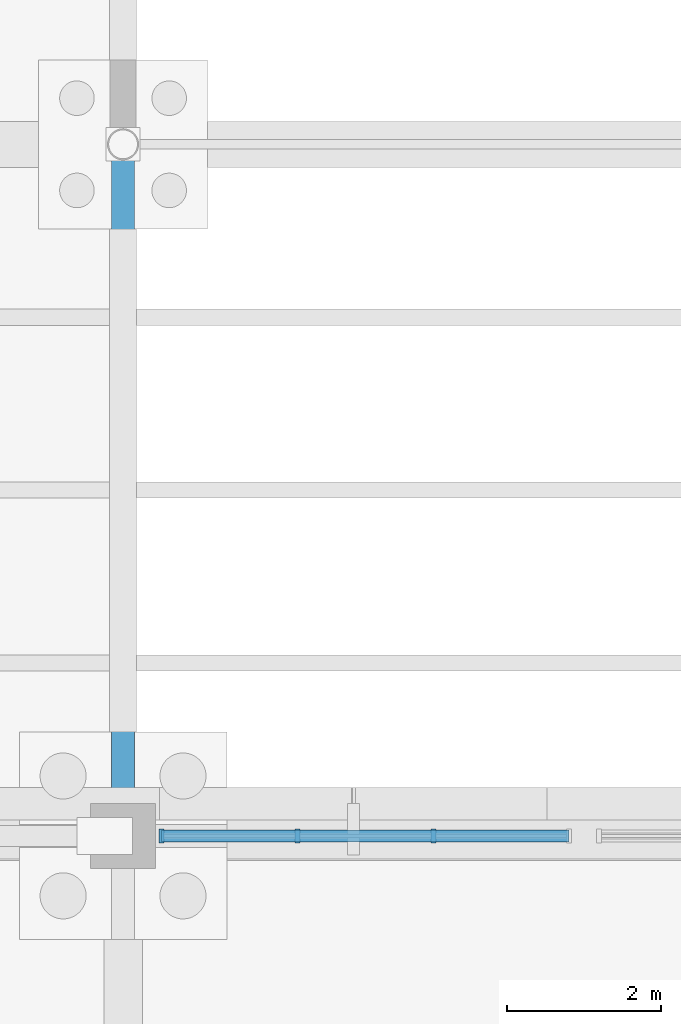
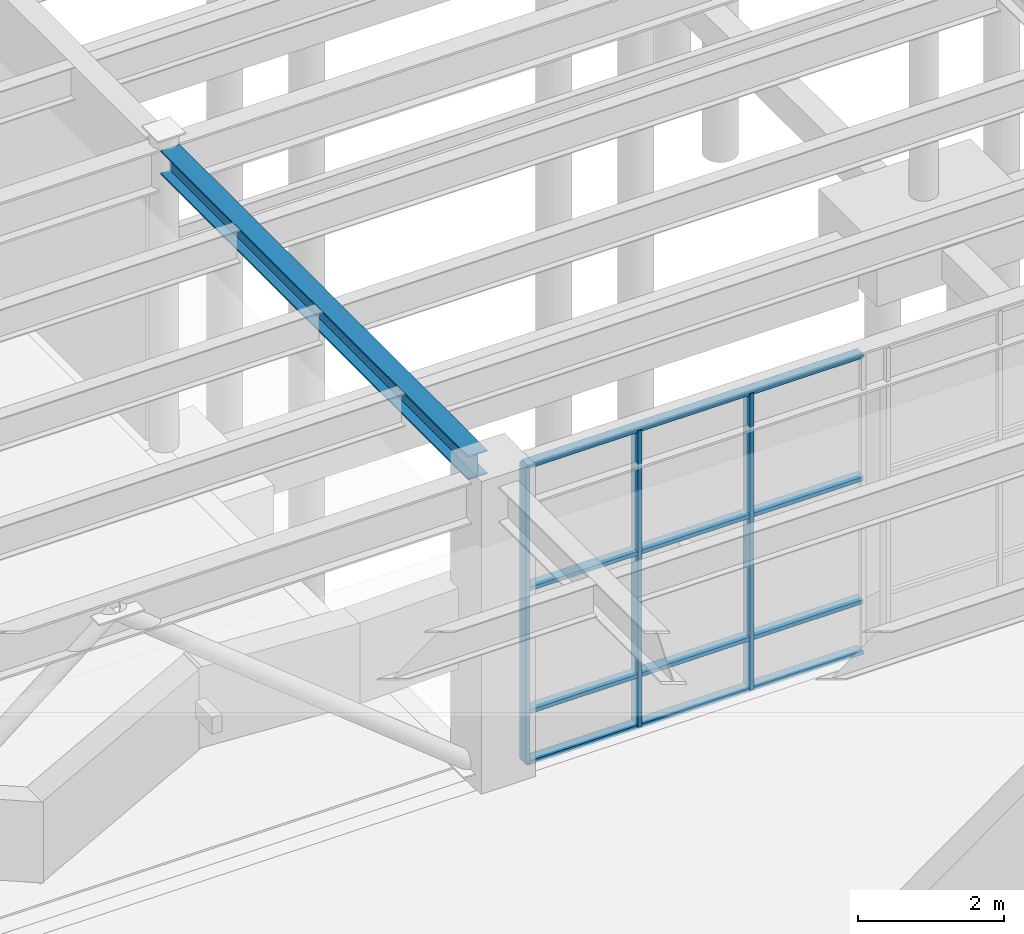
# One storey, part 34 of 85: 7 members, 1 beam, 1 element without a shape of its own.
"""IFC4 building model written with IfcOpenShell, lengths in metres."""

import ifcopenshell
import ifcopenshell.guid

model = None  # the IFC model being written
_history = None  # IfcOwnerHistory: only IFC2X3 demands one
_inside = {}  # id of a spatial element -> (the spatial element, [elements in it])
_under = {}  # id of a project, library or spatial element -> (it, [spatial elements below it])
_declared = {}  # id of a project -> (the project, [libraries it declares])
_typed = {}  # id of a type object -> (the type object, [elements of that type])
_made_of = {}  # id of a material, layer set ... -> (it, [elements and type objects made of it])


def new_model(schema):
    """Start an empty IFC model of exactly this schema.

    Asked for "IFC4X3", IfcOpenShell would pick the latest addendum, in which some entities
    have other attributes; the version numbers below select the first issue.
    IFC2X3 requires an IfcOwnerHistory on every rooted entity: one is made here for all.
    """
    global model, _history
    if schema == "IFC4X3":
        model = ifcopenshell.file(schema_version=(4, 3, 0, 0))
    else:
        model = ifcopenshell.file(schema=schema)
    _inside.clear()
    _under.clear()
    _declared.clear()
    _typed.clear()
    _made_of.clear()
    _history = None
    if model.schema == "IFC2X3":
        org = make("IfcOrganization", Name="unknown")
        user = make(
            "IfcPersonAndOrganization",
            ThePerson=make("IfcPerson", FamilyName="unknown"),
            TheOrganization=org,
        )
        app = make(
            "IfcApplication",
            ApplicationDeveloper=org,
            Version="unknown",
            ApplicationFullName="unknown",
            ApplicationIdentifier="unknown",
        )
        _history = make(
            "IfcOwnerHistory",
            OwningUser=user,
            OwningApplication=app,
            ChangeAction="ADDED",
            CreationDate=0,
        )
    return model


def make(cls, **values):
    """One entity of the class cls with the attributes given. An attribute that is None is left unset."""
    return model.create_entity(
        cls, **{name: value for name, value in values.items() if value is not None}
    )


def rooted(cls, **values):
    """An entity with a GlobalId (a new one), such as an element, a storey or a relation."""
    return make(cls, GlobalId=ifcopenshell.guid.new(), OwnerHistory=_history, **values)


def si_unit(unit_type, name, prefix=None):
    """IfcSIUnit, for example si_unit("LENGTHUNIT", "METRE", prefix="MILLI")."""
    return make("IfcSIUnit", UnitType=unit_type, Prefix=prefix, Name=name)


def assignment(units):
    """IfcUnitAssignment: the units of a project."""
    return None if units is None else make("IfcUnitAssignment", Units=units)


def point(xyz):
    """IfcCartesianPoint."""
    return None if xyz is None else make("IfcCartesianPoint", Coordinates=xyz)


def direction(xyz):
    """IfcDirection."""
    return None if xyz is None else make("IfcDirection", DirectionRatios=xyz)


def frame(location, z_axis=None, x_axis=None):
    """IfcAxis2Placement3D, a coordinate frame: its origin and axes. An axis left out is left unset."""
    return make(
        "IfcAxis2Placement3D",
        Location=point(location),
        Axis=direction(z_axis),
        RefDirection=direction(x_axis),
    )


def frame_2d(location, x_axis=None):
    """IfcAxis2Placement2D, a coordinate frame in the plane: its origin and x axis."""
    return make(
        "IfcAxis2Placement2D", Location=point(location), RefDirection=direction(x_axis)
    )


def origin():
    """The frame at (0, 0, 0) with its axes left unset."""
    return frame((0.0, 0.0, 0.0))


def origin_2d():
    """The frame at (0, 0) in the plane with its x axis left unset."""
    return frame_2d((0.0, 0.0))


def place(relative_to, where):
    """IfcLocalPlacement: puts the frame where relative to a parent placement (None: the world)."""
    return make(
        "IfcLocalPlacement", PlacementRelTo=relative_to, RelativePlacement=where
    )


def context(
    kind, dimensions, precision=None, world=None, true_north=None, identifier=None
):
    """IfcGeometricRepresentationContext, for example the 3D "Model" context."""
    return make(
        "IfcGeometricRepresentationContext",
        ContextIdentifier=identifier,
        ContextType=kind,
        CoordinateSpaceDimension=dimensions,
        Precision=precision,
        WorldCoordinateSystem=world,
        TrueNorth=true_north,
    )


def subcontext(parent, identifier, kind, view, scale=None):
    """IfcGeometricRepresentationSubContext, for example "Body" below "Model"."""
    return make(
        "IfcGeometricRepresentationSubContext",
        ContextIdentifier=identifier,
        ContextType=kind,
        ParentContext=parent,
        TargetScale=scale,
        TargetView=view,
    )


def project(units=None, contexts=None):
    """IfcProject with its units and contexts."""
    return rooted(
        "IfcProject",
        Name="project",
        RepresentationContexts=contexts,
        UnitsInContext=assignment(units),
    )


def spatial(cls, under=None, at=None, **own):
    """A site, building, storey or space (cls), placed at a placement, below another one or the project."""
    s = rooted(cls, ObjectPlacement=at, **own)
    if under is not None:
        _under.setdefault(under.id(), (under, []))[1].append(s)
    return s


def profile(cls, at=None, kind="AREA", **sizes):
    """A parametric profile (cls). Its sizes go by their IFC names, for example OverallWidth=200.0."""
    return make(cls, ProfileType=kind, Position=at, **sizes)


def rectangle(**sizes):
    """IfcRectangleProfileDef."""
    return profile("IfcRectangleProfileDef", **sizes)


def i_section(**sizes):
    """IfcIShapeProfileDef."""
    return profile("IfcIShapeProfileDef", **sizes)


def extrude(swept, where, along, depth):
    """IfcExtrudedAreaSolid: the profile swept, set in the frame where, extruded along a direction by depth."""
    return make(
        "IfcExtrudedAreaSolid",
        SweptArea=swept,
        Position=where,
        ExtrudedDirection=direction(along),
        Depth=depth,
    )


def shape(context_of_items, identifier, shape_type, items):
    """IfcShapeRepresentation: the items that make up one representation, for example the "Body"."""
    return make(
        "IfcShapeRepresentation",
        ContextOfItems=context_of_items,
        RepresentationIdentifier=identifier,
        RepresentationType=shape_type,
        Items=items,
    )


def material(Name=None, Category=None):
    """IfcMaterial."""
    return make("IfcMaterial", Name=Name, Category=Category)


def layer(
    of_material, thickness, ventilated=None, Name=None, Category=None, Priority=None
):
    """IfcMaterialLayer: one layer of a wall or slab, of a material (None: an air gap)."""
    return make(
        "IfcMaterialLayer",
        Material=of_material,
        LayerThickness=thickness,
        IsVentilated=ventilated,
        Name=Name,
        Category=Category,
        Priority=Priority,
    )


def layer_set(layers, Name=None):
    """IfcMaterialLayerSet."""
    return make("IfcMaterialLayerSet", MaterialLayers=layers, LayerSetName=Name)


def material_profile(
    of_material, cross_section, Name=None, Category=None, Priority=None
):
    """IfcMaterialProfile: a cross section and its material."""
    return make(
        "IfcMaterialProfile",
        Name=Name,
        Material=of_material,
        Profile=cross_section,
        Priority=Priority,
        Category=Category,
    )


def profile_set(profiles, Name=None, composite=None):
    """IfcMaterialProfileSet."""
    return make(
        "IfcMaterialProfileSet",
        Name=Name,
        MaterialProfiles=profiles,
        CompositeProfile=composite,
    )


def made_of(thing, what):
    """Note that an element or type object is made of a material, layer set ...; save() writes the relation."""
    if what is not None:
        _made_of.setdefault(what.id(), (what, []))[1].append(thing)
    return thing


def type_object(cls, material=None, **own):
    """A type object (cls), such as IfcWallType, which elements share."""
    return made_of(rooted(cls, **own), material)


def element(
    cls,
    number,
    at=None,
    inside=None,
    cuts=None,
    type_object=None,
    material=None,
    context=None,
    identifier="Body",
    shape_type=None,
    held_by="IfcProductDefinitionShape",
    body=None,
    shapes=None,
    **own,
):
    """One element of the class cls, such as IfcWall. Its Tag is "e" and its number.

    at: its placement. inside: the storey or other place that contains it. cuts: it is an
    opening in that element (IfcRelVoidsElement). A single representation is given by context,
    identifier, shape_type and body (its items); several are given by shapes. held_by: the class
    of the entity that holds the representations. save() writes the other relations.
    """
    e = rooted(cls, Tag="e%d" % number, ObjectPlacement=at, **own)
    if body is not None:
        shapes = [shape(context, identifier, shape_type, body)]
    if shapes is not None:
        e.Representation = make(held_by, Representations=shapes)
    if inside is not None:
        _inside.setdefault(inside.id(), (inside, []))[1].append(e)
    if cuts is not None:
        rooted(
            "IfcRelVoidsElement", RelatingBuildingElement=cuts, RelatedOpeningElement=e
        )
    if type_object is not None:
        _typed.setdefault(type_object.id(), (type_object, []))[1].append(e)
    return made_of(e, material)


def aggregate(whole, parts):
    """IfcRelAggregates: a whole, such as a stair, and the parts it consists of."""
    return rooted("IfcRelAggregates", RelatingObject=whole, RelatedObjects=parts)


def save(model, path):
    """Write the relations noted so far, then the file.

    IfcRelAggregates (storeys below a building ...), IfcRelContainedInSpatialStructure (elements
    in a storey), IfcRelDefinesByType, IfcRelAssociatesMaterial and IfcRelDeclares: one each for
    every whole, place, type object, material and project.
    """
    for whole, parts in _under.values():
        aggregate(whole, parts)
    for where, things in _inside.values():
        rooted(
            "IfcRelContainedInSpatialStructure",
            RelatedElements=things,
            RelatingStructure=where,
        )
    for kind, things in _typed.values():
        rooted("IfcRelDefinesByType", RelatedObjects=things, RelatingType=kind)
    for what, things in _made_of.values():
        rooted("IfcRelAssociatesMaterial", RelatedObjects=things, RelatingMaterial=what)
    for by, libraries in _declared.values():
        rooted("IfcRelDeclares", RelatingContext=by, RelatedDefinitions=libraries)
    model.write(path)


model = new_model("IFC4")

# Units and contexts
model_context = context("Model", 3, precision=1e-05, world=origin(), true_north=direction((0.0, 1.0)))
body_context = subcontext(model_context, "Body", "Model", "MODEL_VIEW")
ifc_project = project(units=[si_unit("LENGTHUNIT", "METRE"), si_unit("AREAUNIT", "SQUARE_METRE"), si_unit("VOLUMEUNIT", "CUBIC_METRE"), si_unit("PLANEANGLEUNIT", "RADIAN"), si_unit("MASSUNIT", "GRAM", prefix="KILO")], contexts=[model_context])

# Site, building, storey
site_placement = place(None, origin())
site = spatial("IfcSite", under=ifc_project, at=site_placement, CompositionType="ELEMENT")
building_placement = place(site_placement, origin())
building = spatial("IfcBuilding", under=site, at=building_placement, Name="Keelwater Ferry Terminal", CompositionType="ELEMENT")
storey_placement = place(building_placement, origin())
storey = spatial("IfcBuildingStorey", under=building, at=storey_placement, Name="L00", CompositionType="ELEMENT", Elevation=0.0)

# Curtain wall, members
ifc_material_1 = material(Name="Thermally broken unitised aluminium and triple glass", Category="aluminium")
ifc_layer = layer(ifc_material_1, 0.179931640625)
ifc_layer_set = layer_set([ifc_layer], Name="Thermally broken unitised aluminium and triple glass")
curtain_wall_type = type_object("IfcCurtainWallType", Name="CW-05 Unitised Curtain Wall 5305x4950", PredefinedType="USERDEFINED", material=ifc_layer_set)
curtain_wall_placement = place(storey_placement, origin())
curtain_wall = element("IfcCurtainWall", 1, at=curtain_wall_placement, inside=storey, type_object=curtain_wall_type, Name="Unitised Curtain Wall CW-L00-025", ObjectType="UNITISED CURTAIN WALL", PredefinedType="USERDEFINED")
ifc_material_2 = material(Name="Aluminium mullion", Category="aluminium")
ifc_material_profile_1 = material_profile(ifc_material_2, rectangle(XDim=0.06494140625, YDim=0.179931640625, at=origin_2d()), Name="CWM-01")
ifc_profile_set_1 = profile_set([ifc_material_profile_1], Name="Aluminium mullion")
member_type_1 = type_object("IfcMemberType", Name="CWM-01 Curtain Mullion 65x180", PredefinedType="MULLION", material=ifc_profile_set_1)
member_1_placement = place(storey_placement, frame((60.5, 90.0, 0.0), z_axis=(0.0, 0.0, 1.0), x_axis=(1.0, 0.0, 0.0)))
member_1 = element("IfcMember", 2, at=member_1_placement, type_object=member_type_1, Name="CW-L00-025 Mullion 1", PredefinedType="MULLION", context=body_context, shape_type="SweptSolid", body=[
    extrude(rectangle(XDim=0.06494140625, YDim=0.179931640625, at=origin_2d()), origin(), (0.0, 0.0, 1.0), 4.949951171875),
])
member_2_placement = place(storey_placement, frame((62.268310546875, 90.0, 0.0), z_axis=(0.0, 0.0, 1.0), x_axis=(1.0, 0.0, 0.0)))
member_2 = element("IfcMember", 3, at=member_2_placement, type_object=member_type_1, Name="CW-L00-025 Mullion 2", PredefinedType="MULLION", context=body_context, shape_type="SweptSolid", body=[
    extrude(rectangle(XDim=0.06494140625, YDim=0.179931640625, at=origin_2d()), origin(), (0.0, 0.0, 1.0), 4.949951171875),
])
member_3_placement = place(storey_placement, frame((64.03662109375, 90.0, 0.0), z_axis=(0.0, 0.0, 1.0), x_axis=(1.0, 0.0, 0.0)))
member_3 = element("IfcMember", 4, at=member_3_placement, type_object=member_type_1, Name="CW-L00-025 Mullion 3", PredefinedType="MULLION", context=body_context, shape_type="SweptSolid", body=[
    extrude(rectangle(XDim=0.06494140625, YDim=0.179931640625, at=origin_2d()), origin(), (0.0, 0.0, 1.0), 4.949951171875),
])
ifc_material_3 = material(Name="Aluminium mullion", Category="aluminium")
ifc_material_profile_2 = material_profile(ifc_material_3, rectangle(XDim=0.159912109375, YDim=0.06494140625, at=origin_2d()), Name="CWT-01")
ifc_profile_set_2 = profile_set([ifc_material_profile_2], Name="Aluminium mullion")
member_type_2 = type_object("IfcMemberType", Name="CWT-01 Curtain Transom 65x160", PredefinedType="USERDEFINED", material=ifc_profile_set_2)
member_4_placement = place(storey_placement, frame((60.5, 90.0, 0.0), z_axis=(1.0, 0.0, 0.0), x_axis=(0.0, 1.0, 0.0)))
member_4 = element("IfcMember", 5, at=member_4_placement, type_object=member_type_2, Name="CW-L00-025 Transom 1", ObjectType="TRANSOM", PredefinedType="USERDEFINED", context=body_context, shape_type="SweptSolid", body=[
    extrude(rectangle(XDim=0.159912109375, YDim=0.06494140625, at=origin_2d()), origin(), (0.0, 0.0, 1.0), 5.304931640625),
])
member_5_placement = place(storey_placement, frame((60.5, 90.0, 0.85009765625), z_axis=(1.0, 0.0, 0.0), x_axis=(0.0, 1.0, 0.0)))
member_5 = element("IfcMember", 6, at=member_5_placement, type_object=member_type_2, Name="CW-L00-025 Transom 2", ObjectType="TRANSOM", PredefinedType="USERDEFINED", context=body_context, shape_type="SweptSolid", body=[
    extrude(rectangle(XDim=0.159912109375, YDim=0.06494140625, at=origin_2d()), origin(), (0.0, 0.0, 1.0), 5.304931640625),
])
member_6_placement = place(storey_placement, frame((60.5, 90.0, 2.89990234375), z_axis=(1.0, 0.0, 0.0), x_axis=(0.0, 1.0, 0.0)))
member_6 = element("IfcMember", 7, at=member_6_placement, type_object=member_type_2, Name="CW-L00-025 Transom 3", ObjectType="TRANSOM", PredefinedType="USERDEFINED", context=body_context, shape_type="SweptSolid", body=[
    extrude(rectangle(XDim=0.159912109375, YDim=0.06494140625, at=origin_2d()), origin(), (0.0, 0.0, 1.0), 5.304931640625),
])
member_7_placement = place(storey_placement, frame((60.5, 90.0, 4.949951171875), z_axis=(1.0, 0.0, 0.0), x_axis=(0.0, 1.0, 0.0)))
member_7 = element("IfcMember", 8, at=member_7_placement, type_object=member_type_2, Name="CW-L00-025 Transom 4", ObjectType="TRANSOM", PredefinedType="USERDEFINED", context=body_context, shape_type="SweptSolid", body=[
    extrude(rectangle(XDim=0.159912109375, YDim=0.06494140625, at=origin_2d()), origin(), (0.0, 0.0, 1.0), 5.304931640625),
])
aggregate(curtain_wall, [member_1, member_2, member_3, member_4, member_5, member_6, member_7])

# Beam
ifc_material_4 = material(Name="Steel S355", Category="steel")
ifc_material_profile_3 = material_profile(ifc_material_4, i_section(OverallWidth=0.300048828125, OverallDepth=0.39990234375, WebThickness=0.013427734375, FlangeThickness=0.02392578125, at=origin_2d()), Name="HEB 400")
ifc_profile_set_3 = profile_set([ifc_material_profile_3], Name="Steel S355")
beam_type = type_object("IfcBeamType", Name="G7 HEB 400", PredefinedType="BEAM", material=ifc_profile_set_3)
beam_placement = place(storey_placement, frame((60.0, 90.416015625, 4.860107421875), z_axis=(0.0, 1.0, 0.0), x_axis=(-1.0, 0.0, 0.0)))
element("IfcBeam", 9, at=beam_placement, inside=storey, type_object=beam_type, Name="Beam BM-L00-0200", PredefinedType="BEAM", context=body_context, shape_type="SweptSolid", body=[
    extrude(i_section(OverallWidth=0.300048828125, OverallDepth=0.39990234375, WebThickness=0.013427734375, FlangeThickness=0.02392578125, at=origin_2d()), origin(), (0.0, 0.0, 1.0), 8.4169921875),
])

save(model, "model.ifc")
